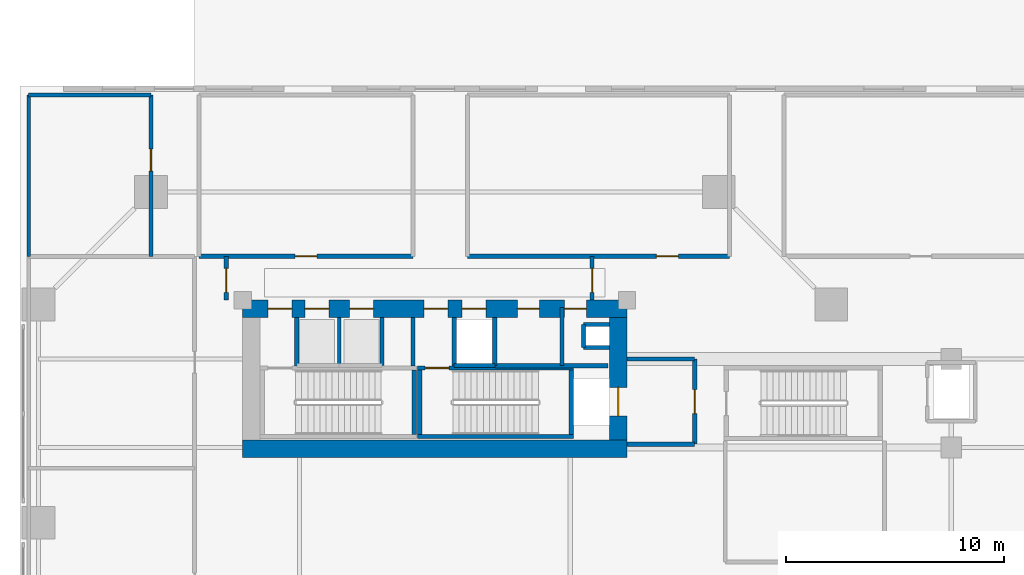
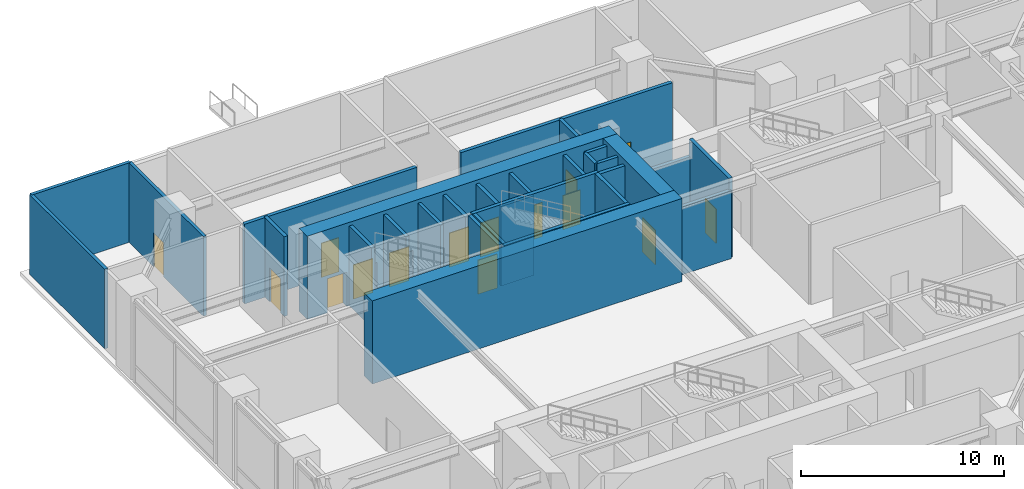
# One storey, part 10 of 18: 30 walls, 15 doors, 15 openings.
"""IFC4 building model written with IfcOpenShell, lengths in metres."""

from ifc_helpers import new_model, si_unit, direction, frame, frame_2d, origin, place, context, subcontext, project, spatial, rectangle, extrude, source, transform, mapped, material, layer, layer_set, type_object, element, fill, save


model = new_model("IFC4")

# Units and contexts
model_context = context("Model", 3, precision=1e-05, world=origin(), true_north=direction((0.0, 1.0)))
body_context = subcontext(model_context, "Body", "Model", "MODEL_VIEW")
ifc_project = project(units=[si_unit("LENGTHUNIT", "METRE"), si_unit("AREAUNIT", "SQUARE_METRE"), si_unit("VOLUMEUNIT", "CUBIC_METRE"), si_unit("PLANEANGLEUNIT", "RADIAN"), si_unit("MASSUNIT", "GRAM", prefix="KILO"), si_unit("THERMODYNAMICTEMPERATUREUNIT", "KELVIN"), si_unit("POWERUNIT", "WATT")], contexts=[model_context])

# Site, building, storey
site_placement = place(None, origin())
site = spatial("IfcSite", under=ifc_project, at=site_placement, CompositionType="ELEMENT")
building_placement = place(site_placement, origin())
building = spatial("IfcBuilding", under=site, at=building_placement, Name="Qiaomeng Ring Towers", CompositionType="ELEMENT")
storey_placement = place(building_placement, origin())
storey = spatial("IfcBuildingStorey", under=building, at=storey_placement, Name="L00", CompositionType="ELEMENT", Elevation=0.0)

# Walls
ifc_material_1 = material(Name="Autoclaved aerated concrete block", Category="concrete")
ifc_layer_1 = layer(ifc_material_1, 0.199951171875, Name="Autoclaved aerated concrete block")
ifc_layer_set_1 = layer_set([ifc_layer_1], Name="Autoclaved aerated concrete block")
wall_type_1 = type_object("IfcWallType", Name="ARC-WL-PW1", PredefinedType="PARTITIONING", material=ifc_layer_set_1)
wall_1_placement = place(storey_placement, frame((27.800048828125, 29.60009765625, 0.0), z_axis=(0.0, 0.0, 1.0), x_axis=(1.0, 0.0, 0.0)))
element("IfcWall", 1, at=wall_1_placement, inside=storey, type_object=wall_type_1, Name="L00 Interior Wall PW1", PredefinedType="PARTITIONING", context=body_context, shape_type="SweptSolid", body=[
    extrude(rectangle(XDim=3.099853515625, YDim=0.199951171875, at=frame_2d((1.5498046875, 0.0))), origin(), (0.0, 0.0, 1.0), 4.074951171875),
])
wall_2_placement = place(storey_placement, frame((27.800048828125, 33.5, 0.0), z_axis=(0.0, 0.0, 1.0), x_axis=(1.0, 0.0, 0.0)))
element("IfcWall", 2, at=wall_2_placement, inside=storey, type_object=wall_type_1, Name="L00 Interior Wall PW1", PredefinedType="PARTITIONING", context=body_context, shape_type="SweptSolid", body=[
    extrude(rectangle(XDim=3.099853515625, YDim=0.199951171875, at=frame_2d((1.5498046875, 0.0))), origin(), (0.0, 0.0, 1.0), 3.77490234375),
])

# Wall, opening, door
wall_3_placement = place(storey_placement, frame((30.89990234375, 29.60009765625, 0.0), z_axis=(0.0, 0.0, 1.0), x_axis=(0.0, 1.0, 0.0)))
wall_3 = element("IfcWall", 3, at=wall_3_placement, inside=storey, type_object=wall_type_1, Name="L00 Interior Wall PW1", PredefinedType="PARTITIONING", context=body_context, shape_type="SweptSolid", body=[
    extrude(rectangle(XDim=3.89990234375, YDim=0.199951171875, at=frame_2d((1.949951171875, 0.0))), origin(), (0.0, 0.0, 1.0), 4.780029296875),
])
opening_1_placement = place(wall_3_placement, frame((1.39990234375, 0.0, 0.0)))
opening_1 = element("IfcOpeningElement", 4, at=opening_1_placement, cuts=wall_3, Name="Opening FD3", PredefinedType="OPENING", context=body_context, shape_type="SweptSolid", body=[
    extrude(rectangle(XDim=1.10009765625, YDim=2.050048828125, at=frame_2d((0.550048828125, 1.02490234375))), frame((0.0, 0.10986328125, 0.0), z_axis=(0.0, -1.0, 0.0), x_axis=(1.0, 0.0, 0.0)), (0.0, 0.0, 1.0), 0.219970703125),
])
ifc_material_2 = material(Name="Galvanised steel", Category="steel")
door_type_1 = type_object("IfcDoorType", Name="ARC-DR-FD3", OperationType="NOTDEFINED", PredefinedType="DOOR", material=ifc_material_2)
shared_shape_1 = source(origin(), body_context, "Body", "SweptSolid", [
    extrude(rectangle(XDim=1.10009765625, YDim=2.050048828125, at=frame_2d((0.550048828125, 1.02490234375))), frame((0.0, 0.02490234375, 0.0), z_axis=(0.0, -1.0, 0.0), x_axis=(1.0, 0.0, 0.0)), (0.0, 0.0, 1.0), 0.050048828125),
])
door_1_placement = place(opening_1_placement, origin())
door_1 = element("IfcDoor", 5, at=door_1_placement, inside=storey, type_object=door_type_1, Name="L00 North FF Lobby Door", OperationType="SINGLE_SWING_LEFT", OverallHeight=2.050048828125, OverallWidth=1.10009765625, PredefinedType="DOOR", context=body_context, shape_type="MappedRepresentation", body=[
    mapped(shared_shape_1, transform((0.0, 0.0, 0.0), x_axis=(1.0, 0.0, 0.0), y_axis=(0.0, 1.0, 0.0), z_axis=(0.0, 0.0, 1.0), scale=1.0)),
])
fill(opening_1, door_1)

# Walls
for number, where, z_axis, x_axis, name in (
    (6, (12.679931640625, 33.18994140625, 0.0), (0.0, 0.0, 1.0), (0.0, 1.0, 0.0), "L00 Interior Wall PW1"),
    (7, (18.0, 33.18994140625, 0.0), (0.0, 0.0, 1.0), (0.0, 1.0, 0.0), "L00 Interior Wall PW1"),
    (8, (19.8798828125, 33.18994140625, 0.0), (0.0, 0.0, 1.0), (0.0, 1.0, 0.0), "L00 Interior Wall PW1"),
):
    element("IfcWall", number, at=place(storey_placement, frame(where, z_axis=z_axis, x_axis=x_axis)), inside=storey, type_object=wall_type_1, Name=name, PredefinedType="PARTITIONING", context=body_context, shape_type="SweptSolid", body=[
        extrude(rectangle(XDim=2.2099609375, YDim=0.199951171875, at=frame_2d((1.10498046875, 0.0))), origin(), (0.0, 0.0, 1.0), 4.780029296875),
    ])
wall_4_placement = place(storey_placement, frame((24.820068359375, 33.199951171875, 0.0), z_axis=(0.0, 0.0, 1.0), x_axis=(0.0, 1.0, 0.0)))
element("IfcWall", 9, at=wall_4_placement, inside=storey, type_object=wall_type_1, Name="L00 Interior Wall PW1", PredefinedType="PARTITIONING", context=body_context, shape_type="SweptSolid", body=[
    extrude(rectangle(XDim=2.650146484375, YDim=0.199951171875, at=frame_2d((1.3251953125, 0.0))), origin(), (0.0, 0.0, 1.0), 4.780029296875),
])
wall_5_placement = place(storey_placement, frame((21.75, 33.199951171875, 0.0), z_axis=(0.0, 0.0, 1.0), x_axis=(0.0, 1.0, 0.0)))
element("IfcWall", 10, at=wall_5_placement, inside=storey, type_object=wall_type_1, Name="L00 Interior Wall PW1", PredefinedType="PARTITIONING", context=body_context, shape_type="SweptSolid", body=[
    extrude(rectangle(XDim=2.199951171875, YDim=0.199951171875, at=frame_2d((1.10009765625, 0.0))), origin(), (0.0, 0.0, 1.0), 4.780029296875),
])
wall_6_placement = place(storey_placement, frame((21.75, 33.199951171875, 0.0), z_axis=(0.0, 0.0, 1.0), x_axis=(1.0, 0.0, 0.0)))
element("IfcWall", 11, at=wall_6_placement, inside=storey, type_object=wall_type_1, Name="L00 Interior Wall PW1", PredefinedType="PARTITIONING", context=body_context, shape_type="SweptSolid", body=[
    extrude(rectangle(XDim=5.169921875, YDim=0.199951171875, at=frame_2d((2.5849609375, 0.0))), origin(), (0.0, 0.0, 1.0), 4.780029296875),
])

# Wall, opening, door
wall_7_placement = place(storey_placement, frame((9.449951171875, 36.199951171875, 0.0), z_axis=(0.0, 0.0, 1.0), x_axis=(0.0, 1.0, 0.0)))
wall_7 = element("IfcWall", 12, at=wall_7_placement, inside=storey, type_object=wall_type_1, Name="L00 Interior Wall PW1", PredefinedType="PARTITIONING", context=body_context, shape_type="SweptSolid", body=[
    extrude(rectangle(XDim=2.0, YDim=0.199951171875, at=frame_2d((1.0, 0.0))), origin(), (0.0, 0.0, 1.0), 4.780029296875),
])
opening_2_placement = place(wall_7_placement, frame((0.35009765625, 0.0, 0.0)))
opening_2 = element("IfcOpeningElement", 13, at=opening_2_placement, cuts=wall_7, Name="Opening FD3", PredefinedType="OPENING", context=body_context, shape_type="SweptSolid", body=[
    extrude(rectangle(XDim=1.10009765625, YDim=2.050048828125, at=frame_2d((0.550048828125, 1.02490234375))), frame((0.0, 0.10986328125, 0.0), z_axis=(0.0, -1.0, 0.0), x_axis=(1.0, 0.0, 0.0)), (0.0, 0.0, 1.0), 0.219970703125),
])
door_2_placement = place(opening_2_placement, origin())
door_2 = element("IfcDoor", 14, at=door_2_placement, inside=storey, type_object=door_type_1, Name="L00 Door FD3", OperationType="SINGLE_SWING_RIGHT", OverallHeight=2.050048828125, OverallWidth=1.10009765625, PredefinedType="DOOR", context=body_context, shape_type="MappedRepresentation", body=[
    mapped(shared_shape_1, transform((0.0, 0.0, 0.0), x_axis=(1.0, 0.0, 0.0), y_axis=(0.0, 1.0, 0.0), z_axis=(0.0, 0.0, 1.0), scale=1.0)),
])
fill(opening_2, door_2)

wall_8_placement = place(storey_placement, frame((26.199951171875, 36.199951171875, 0.0), z_axis=(0.0, 0.0, 1.0), x_axis=(0.0, 1.0, 0.0)))
wall_8 = element("IfcWall", 15, at=wall_8_placement, inside=storey, type_object=wall_type_1, Name="L00 Interior Wall PW1", PredefinedType="PARTITIONING", context=body_context, shape_type="SweptSolid", body=[
    extrude(rectangle(XDim=2.0, YDim=0.199951171875, at=frame_2d((1.0, 0.0))), origin(), (0.0, 0.0, 1.0), 4.780029296875),
])
opening_3_placement = place(wall_8_placement, frame((0.35009765625, 0.0, 0.0)))
opening_3 = element("IfcOpeningElement", 16, at=opening_3_placement, cuts=wall_8, Name="Opening FD3", PredefinedType="OPENING", context=body_context, shape_type="SweptSolid", body=[
    extrude(rectangle(XDim=1.10009765625, YDim=2.050048828125, at=frame_2d((0.550048828125, 1.02490234375))), frame((0.0, 0.10986328125, 0.0), z_axis=(0.0, -1.0, 0.0), x_axis=(1.0, 0.0, 0.0)), (0.0, 0.0, 1.0), 0.219970703125),
])
door_3_placement = place(opening_3_placement, origin())
door_3 = element("IfcDoor", 17, at=door_3_placement, inside=storey, type_object=door_type_1, Name="L00 Door FD3", OperationType="SINGLE_SWING_LEFT", OverallHeight=2.050048828125, OverallWidth=1.10009765625, PredefinedType="DOOR", context=body_context, shape_type="MappedRepresentation", body=[
    mapped(shared_shape_1, transform((0.0, 0.0, 0.0), x_axis=(1.0, 0.0, 0.0), y_axis=(0.0, 1.0, 0.0), z_axis=(0.0, 0.0, 1.0), scale=1.0)),
])
fill(opening_3, door_3)

wall_9_placement = place(storey_placement, frame((8.199951171875, 38.199951171875, 0.0), z_axis=(0.0, 0.0, 1.0), x_axis=(1.0, 0.0, 0.0)))
wall_9 = element("IfcWall", 18, at=wall_9_placement, inside=storey, type_object=wall_type_1, Name="L00 Interior Wall PW1", PredefinedType="PARTITIONING", context=body_context, shape_type="SweptSolid", body=[
    extrude(rectangle(XDim=9.800048828125, YDim=0.199951171875, at=frame_2d((4.89990234375, 0.0))), origin(), (0.0, 0.0, 1.0), 4.780029296875),
])
opening_4_placement = place(wall_9_placement, frame((4.39990234375, 0.0, 0.0)))
opening_4 = element("IfcOpeningElement", 19, at=opening_4_placement, cuts=wall_9, Name="Opening FD4", PredefinedType="OPENING", context=body_context, shape_type="SweptSolid", body=[
    extrude(rectangle(XDim=1.0, YDim=2.050048828125, at=frame_2d((0.5, 1.02490234375))), frame((0.0, 0.10986328125, 0.0), z_axis=(0.0, -1.0, 0.0), x_axis=(1.0, 0.0, 0.0)), (0.0, 0.0, 1.0), 0.219970703125),
])
ifc_material_3 = material(Name="Engineered fire-rated oak timber", Category="wood")
door_type_2 = type_object("IfcDoorType", Name="ARC-DR-FD4", OperationType="NOTDEFINED", PredefinedType="DOOR", material=ifc_material_3)
shared_shape_2 = source(origin(), body_context, "Body", "SweptSolid", [
    extrude(rectangle(XDim=1.0, YDim=2.050048828125, at=frame_2d((0.5, 1.02490234375))), frame((0.0, 0.02490234375, 0.0), z_axis=(0.0, -1.0, 0.0), x_axis=(1.0, 0.0, 0.0)), (0.0, 0.0, 1.0), 0.050048828125),
])
door_4_placement = place(opening_4_placement, origin())
door_4 = element("IfcDoor", 20, at=door_4_placement, inside=storey, type_object=door_type_2, Name="L00 Observation Ward Suite Door", OperationType="SINGLE_SWING_LEFT", OverallHeight=2.050048828125, OverallWidth=1.0, PredefinedType="DOOR", context=body_context, shape_type="MappedRepresentation", body=[
    mapped(shared_shape_2, transform((0.0, 0.0, 0.0), x_axis=(1.0, 0.0, 0.0), y_axis=(0.0, 1.0, 0.0), z_axis=(0.0, 0.0, 1.0), scale=1.0)),
])
fill(opening_4, door_4)

wall_10_placement = place(storey_placement, frame((20.5, 38.199951171875, 0.0), z_axis=(0.0, 0.0, 1.0), x_axis=(1.0, 0.0, 0.0)))
wall_10 = element("IfcWall", 21, at=wall_10_placement, inside=storey, type_object=wall_type_1, Name="L00 Interior Wall PW1", PredefinedType="PARTITIONING", context=body_context, shape_type="SweptSolid", body=[
    extrude(rectangle(XDim=12.0, YDim=0.199951171875, at=frame_2d((6.0, 0.0))), origin(), (0.0, 0.0, 1.0), 4.780029296875),
])
opening_5_placement = place(wall_10_placement, frame((8.64990234375, 0.0, 0.0)))
opening_5 = element("IfcOpeningElement", 22, at=opening_5_placement, cuts=wall_10, Name="Opening FD4", PredefinedType="OPENING", context=body_context, shape_type="SweptSolid", body=[
    extrude(rectangle(XDim=1.0, YDim=2.050048828125, at=frame_2d((0.5, 1.02490234375))), frame((0.0, 0.10986328125, 0.0), z_axis=(0.0, -1.0, 0.0), x_axis=(1.0, 0.0, 0.0)), (0.0, 0.0, 1.0), 0.219970703125),
])
door_5_placement = place(opening_5_placement, origin())
door_5 = element("IfcDoor", 23, at=door_5_placement, inside=storey, type_object=door_type_2, Name="L00 Preventive Immunisation Clinic Door", OperationType="SINGLE_SWING_RIGHT", OverallHeight=2.050048828125, OverallWidth=1.0, PredefinedType="DOOR", context=body_context, shape_type="MappedRepresentation", body=[
    mapped(shared_shape_2, transform((0.0, 0.0, 0.0), x_axis=(1.0, 0.0, 0.0), y_axis=(0.0, 1.0, 0.0), z_axis=(0.0, 0.0, 1.0), scale=1.0)),
])
fill(opening_5, door_5)

# Walls
ifc_layer_2 = layer(ifc_material_1, 0.179931640625, Name="Autoclaved aerated concrete block")
ifc_layer_set_2 = layer_set([ifc_layer_2], Name="Autoclaved aerated concrete block")
wall_type_2 = type_object("IfcWallType", Name="ARC-WL-PW2", PredefinedType="PARTITIONING", material=ifc_layer_set_2)
wall_11_placement = place(storey_placement, frame((0.39990234375, 45.60009765625, 0.0), z_axis=(0.0, 0.0, 1.0), x_axis=(1.0, 0.0, 0.0)))
element("IfcWall", 24, at=wall_11_placement, inside=storey, type_object=wall_type_2, Name="L00 Interior Wall PW2", PredefinedType="PARTITIONING", context=body_context, shape_type="SweptSolid", body=[
    extrude(rectangle(XDim=5.60009765625, YDim=0.179931640625, at=frame_2d((2.800048828125, 0.0))), origin(), (0.0, 0.0, 1.0), 4.780029296875),
])
wall_12_placement = place(storey_placement, frame((0.39990234375, 38.199951171875, 0.0), z_axis=(0.0, 0.0, 1.0), x_axis=(0.0, 1.0, 0.0)))
element("IfcWall", 25, at=wall_12_placement, inside=storey, type_object=wall_type_2, Name="L00 Interior Wall PW2", PredefinedType="PARTITIONING", context=body_context, shape_type="SweptSolid", body=[
    extrude(rectangle(XDim=7.400146484375, YDim=0.179931640625, at=frame_2d((3.7001953125, 0.0))), origin(), (0.0, 0.0, 1.0), 4.780029296875),
])

# Wall, opening, door
wall_13_placement = place(storey_placement, frame((6.0, 38.199951171875, 0.0), z_axis=(0.0, 0.0, 1.0), x_axis=(0.0, 1.0, 0.0)))
wall_13 = element("IfcWall", 26, at=wall_13_placement, inside=storey, type_object=wall_type_2, Name="L00 Interior Wall PW2", PredefinedType="PARTITIONING", context=body_context, shape_type="SweptSolid", body=[
    extrude(rectangle(XDim=7.400146484375, YDim=0.179931640625, at=frame_2d((3.7001953125, 0.0))), origin(), (0.0, 0.0, 1.0), 4.780029296875),
])
opening_6_placement = place(wall_13_placement, frame((3.912109375, 0.0, 0.0)))
opening_6 = element("IfcOpeningElement", 27, at=opening_6_placement, cuts=wall_13, Name="Opening FD4", PredefinedType="OPENING", context=body_context, shape_type="SweptSolid", body=[
    extrude(rectangle(XDim=1.0, YDim=2.050048828125, at=frame_2d((0.5, 1.02490234375))), frame((0.0, 0.099853515625, 0.0), z_axis=(0.0, -1.0, 0.0), x_axis=(1.0, 0.0, 0.0)), (0.0, 0.0, 1.0), 0.199951171875),
])
door_6_placement = place(opening_6_placement, origin())
door_6 = element("IfcDoor", 28, at=door_6_placement, inside=storey, type_object=door_type_2, Name="L00 Medical Records Office Door", OperationType="SINGLE_SWING_RIGHT", OverallHeight=2.050048828125, OverallWidth=1.0, PredefinedType="DOOR", context=body_context, shape_type="MappedRepresentation", body=[
    mapped(shared_shape_2, transform((0.0, 0.0, 0.0), x_axis=(1.0, 0.0, 0.0), y_axis=(0.0, 1.0, 0.0), z_axis=(0.0, 0.0, 1.0), scale=1.0)),
])
fill(opening_6, door_6)

# Walls
ifc_material_4 = material(Name="Concrete C40", Category="concrete")
ifc_layer_3 = layer(ifc_material_4, 0.199951171875, Name="Concrete C40")
ifc_layer_set_3 = layer_set([ifc_layer_3], Name="Concrete C40")
wall_type_3 = type_object("IfcWallType", Name="STR-WL-STSHAFT", PredefinedType="SHEAR", material=ifc_layer_set_3)
wall_14_placement = place(storey_placement, frame((14.6201171875, 33.199951171875, 0.0), z_axis=(0.0, 0.0, 1.0), x_axis=(0.0, 1.0, 0.0)))
element("IfcWall", 29, at=wall_14_placement, inside=storey, type_object=wall_type_3, Name="L00 Lift LP5-LP3 Shaft Divider Wall", PredefinedType="SHEAR", context=body_context, shape_type="SweptSolid", body=[
    extrude(rectangle(XDim=2.199951171875, YDim=0.179931640625, at=frame_2d((1.10009765625, 0.0))), origin(), (0.0, 0.0, 1.0), 4.780029296875),
])
wall_15_placement = place(storey_placement, frame((25.800048828125, 34.02001953125, 0.0), z_axis=(0.0, 0.0, 1.0), x_axis=(0.0, 1.0, 0.0)))
element("IfcWall", 30, at=wall_15_placement, inside=storey, type_object=wall_type_3, Name="L00 Riser RSR1 West Shaft Wall N", PredefinedType="SHEAR", context=body_context, shape_type="SweptSolid", body=[
    extrude(rectangle(XDim=1.06005859375, YDim=0.179931640625, at=frame_2d((0.530029296875, 0.0))), origin(), (0.0, 0.0, 1.0), 4.780029296875),
])
for number, where, z_axis, x_axis, name in (
    (31, (25.800048828125, 35.080078125, 0.0), (0.0, 0.0, 1.0), (1.0, 0.0, 0.0), "L00 Riser RSR1 North Shaft Wall N"),
    (32, (25.800048828125, 34.02001953125, 0.0), (0.0, 0.0, 1.0), (1.0, 0.0, 0.0), "L00 Riser RSR1 South Shaft Wall N"),
):
    element("IfcWall", number, at=place(storey_placement, frame(where, z_axis=z_axis, x_axis=x_axis)), inside=storey, type_object=wall_type_3, Name=name, PredefinedType="SHEAR", context=body_context, shape_type="SweptSolid", body=[
        extrude(rectangle(XDim=1.199951171875, YDim=0.179931640625, at=frame_2d((0.60009765625, 0.0))), origin(), (0.0, 0.0, 1.0), 4.780029296875),
    ])
wall_16_placement = place(storey_placement, frame((16.580078125, 33.199951171875, 0.0), z_axis=(0.0, 0.0, 1.0), x_axis=(0.0, 1.0, 0.0)))
element("IfcWall", 33, at=wall_16_placement, inside=storey, type_object=wall_type_3, Name="L00 Lift LP3 East Shaft Wall", PredefinedType="SHEAR", context=body_context, shape_type="SweptSolid", body=[
    extrude(rectangle(XDim=2.199951171875, YDim=0.179931640625, at=frame_2d((1.10009765625, 0.0))), origin(), (0.0, 0.0, 1.0), 4.780029296875),
])
wall_17_placement = place(storey_placement, frame((19.8798828125, 33.199951171875, 0.0), z_axis=(0.0, 0.0, 1.0), x_axis=(1.0, 0.0, 0.0)))
element("IfcWall", 34, at=wall_17_placement, inside=storey, type_object=wall_type_3, Name="L00 Lift LP1 Shaft Back Wall", PredefinedType="SHEAR", context=body_context, shape_type="SweptSolid", body=[
    extrude(rectangle(XDim=1.8701171875, YDim=0.179931640625, at=frame_2d((0.93505859375, 0.0))), origin(), (0.0, 0.0, 1.0), 4.780029296875),
])
wall_18_placement = place(storey_placement, frame((18.050048828125, 30.050048828125, 0.0), z_axis=(0.0, 0.0, 1.0), x_axis=(0.0, 1.0, 0.0)))
element("IfcWall", 35, at=wall_18_placement, inside=storey, type_object=wall_type_3, Name="L00 Stair ST1 East Shaft Shear Wall", PredefinedType="SHEAR", context=body_context, shape_type="SweptSolid", body=[
    extrude(rectangle(XDim=2.93994140625, YDim=0.199951171875, at=frame_2d((1.469970703125, 0.0))), origin(), (0.0, 0.0, 1.0), 5.0),
])
wall_19_placement = place(storey_placement, frame((18.199951171875, 29.949951171875, 0.0), z_axis=(0.0, 0.0, 1.0), x_axis=(1.0, 0.0, 0.0)))
element("IfcWall", 36, at=wall_19_placement, inside=storey, type_object=wall_type_3, Name="L00 Stair ST2 South Shaft Shear Wall", PredefinedType="SHEAR", context=body_context, shape_type="SweptSolid", body=[
    extrude(rectangle(XDim=7.150146484375, YDim=0.199951171875, at=frame_2d((3.5751953125, 0.0))), origin(), (0.0, 0.0, 1.0), 5.0),
])

# Wall, opening, door
wall_20_placement = place(storey_placement, frame((18.199951171875, 33.090087890625, 0.0), z_axis=(0.0, 0.0, 1.0), x_axis=(1.0, 0.0, 0.0)))
wall_20 = element("IfcWall", 37, at=wall_20_placement, inside=storey, type_object=wall_type_3, Name="L00 Stair ST2 North Shaft Shear Wall", PredefinedType="SHEAR", context=body_context, shape_type="SweptSolid", body=[
    extrude(rectangle(XDim=7.150146484375, YDim=0.199951171875, at=frame_2d((3.5751953125, 0.0))), origin(), (0.0, 0.0, 1.0), 5.0),
])
opening_7_placement = place(wall_20_placement, frame((0.35009765625, 0.0, 0.0)))
opening_7 = element("IfcOpeningElement", 38, at=opening_7_placement, cuts=wall_20, Name="Opening FD3", PredefinedType="OPENING", context=body_context, shape_type="SweptSolid", body=[
    extrude(rectangle(XDim=1.10009765625, YDim=2.050048828125, at=frame_2d((0.550048828125, 1.02490234375))), frame((0.0, 0.10986328125, 0.0), z_axis=(0.0, -1.0, 0.0), x_axis=(1.0, 0.0, 0.0)), (0.0, 0.0, 1.0), 0.219970703125),
])
door_7_placement = place(opening_7_placement, origin())
door_7 = element("IfcDoor", 39, at=door_7_placement, inside=storey, type_object=door_type_1, Name="L00 Stair ST2 Exit Door", OperationType="SINGLE_SWING_RIGHT", OverallHeight=2.050048828125, OverallWidth=1.10009765625, PredefinedType="DOOR", context=body_context, shape_type="MappedRepresentation", body=[
    mapped(shared_shape_1, transform((0.0, 0.0, 0.0), x_axis=(1.0, 0.0, 0.0), y_axis=(0.0, 1.0, 0.0), z_axis=(0.0, 0.0, 1.0), scale=1.0)),
])
fill(opening_7, door_7)

# Walls
for number, where, z_axis, x_axis, name in (
    (40, (18.300048828125, 30.050048828125, 0.0), (0.0, 0.0, 1.0), (0.0, 1.0, 0.0), "L00 Stair ST2 West Shaft Shear Wall"),
    (41, (25.25, 30.050048828125, 0.0), (0.0, 0.0, 1.0), (0.0, 1.0, 0.0), "L00 Stair ST2 East Shaft Shear Wall"),
):
    element("IfcWall", number, at=place(storey_placement, frame(where, z_axis=z_axis, x_axis=x_axis)), inside=storey, type_object=wall_type_3, Name=name, PredefinedType="SHEAR", context=body_context, shape_type="SweptSolid", body=[
        extrude(rectangle(XDim=2.93994140625, YDim=0.199951171875, at=frame_2d((1.469970703125, 0.0))), origin(), (0.0, 0.0, 1.0), 5.0),
    ])
ifc_material_5 = material(Name="Concrete C60", Category="concrete")
ifc_layer_4 = layer(ifc_material_5, 0.800048828125, Name="Concrete C60")
ifc_layer_set_4 = layer_set([ifc_layer_4], Name="Concrete C60")
wall_type_4 = type_object("IfcWallType", Name="STR-WL-SW1", PredefinedType="SHEAR", material=ifc_layer_set_4)
wall_21_placement = place(storey_placement, frame((10.199951171875, 29.39990234375, 0.0), z_axis=(0.0, 0.0, 1.0), x_axis=(1.0, 0.0, 0.0)))
element("IfcWall", 42, at=wall_21_placement, inside=storey, type_object=wall_type_4, Name="L00 T1NC south core shear wall", PredefinedType="SHEAR", context=body_context, shape_type="SweptSolid", body=[
    extrude(rectangle(XDim=17.60009765625, YDim=0.800048828125, at=frame_2d((8.800048828125, 0.0))), origin(), (0.0, 0.0, 1.0), 5.0),
])

# Wall, openings, doors
wall_22_placement = place(storey_placement, frame((10.199951171875, 35.800048828125, 0.0), z_axis=(0.0, 0.0, 1.0), x_axis=(1.0, 0.0, 0.0)))
wall_22 = element("IfcWall", 43, at=wall_22_placement, inside=storey, type_object=wall_type_4, Name="L00 T1NC north core shear wall", PredefinedType="SHEAR", context=body_context, shape_type="SweptSolid", body=[
    extrude(rectangle(XDim=17.60009765625, YDim=0.800048828125, at=frame_2d((8.800048828125, 0.0))), origin(), (0.0, 0.0, 1.0), 5.0),
])
opening_8_placement = place(wall_22_placement, frame((1.14990234375, 0.0, 0.0)))
opening_8 = element("IfcOpeningElement", 44, at=opening_8_placement, cuts=wall_22, Name="Opening FD3", PredefinedType="OPENING", context=body_context, shape_type="SweptSolid", body=[
    extrude(rectangle(XDim=1.10009765625, YDim=2.050048828125, at=frame_2d((0.550048828125, 1.02490234375))), frame((0.0, 0.409912109375, 0.0), z_axis=(0.0, -1.0, 0.0), x_axis=(1.0, 0.0, 0.0)), (0.0, 0.0, 1.0), 0.820068359375),
])
opening_9_placement = place(wall_22_placement, frame((8.300048828125, 0.0, 0.0)))
opening_9 = element("IfcOpeningElement", 45, at=opening_9_placement, cuts=wall_22, Name="Opening FD3", PredefinedType="OPENING", context=body_context, shape_type="SweptSolid", body=[
    extrude(rectangle(XDim=1.10009765625, YDim=2.050048828125, at=frame_2d((0.550048828125, 1.02490234375))), frame((0.0, 0.409912109375, 0.0), z_axis=(0.0, -1.0, 0.0), x_axis=(1.0, 0.0, 0.0)), (0.0, 0.0, 1.0), 0.820068359375),
])
opening_10_placement = place(wall_22_placement, frame((10.050048828125, 0.0, 0.0)))
opening_10 = element("IfcOpeningElement", 46, at=opening_10_placement, cuts=wall_22, Name="Opening LD1", PredefinedType="OPENING", context=body_context, shape_type="SweptSolid", body=[
    extrude(rectangle(XDim=1.10009765625, YDim=2.050048828125, at=frame_2d((0.550048828125, 1.02490234375))), frame((0.0, 0.409912109375, 0.0), z_axis=(0.0, -1.0, 0.0), x_axis=(1.0, 0.0, 0.0)), (0.0, 0.0, 1.0), 0.820068359375),
])
opening_11_placement = place(wall_22_placement, frame((4.89990234375, 0.0, 0.0)))
opening_11 = element("IfcOpeningElement", 47, at=opening_11_placement, cuts=wall_22, Name="Opening LD1", PredefinedType="OPENING", context=body_context, shape_type="SweptSolid", body=[
    extrude(rectangle(XDim=1.10009765625, YDim=2.050048828125, at=frame_2d((0.550048828125, 1.02490234375))), frame((0.0, 0.409912109375, 0.0), z_axis=(0.0, -1.0, 0.0), x_axis=(1.0, 0.0, 0.0)), (0.0, 0.0, 1.0), 0.820068359375),
])
opening_12_placement = place(wall_22_placement, frame((2.85009765625, 0.0, 0.0)))
opening_12 = element("IfcOpeningElement", 48, at=opening_12_placement, cuts=wall_22, Name="Opening LD1", PredefinedType="OPENING", context=body_context, shape_type="SweptSolid", body=[
    extrude(rectangle(XDim=1.10009765625, YDim=2.050048828125, at=frame_2d((0.550048828125, 1.02490234375))), frame((0.0, 0.409912109375, 0.0), z_axis=(0.0, -1.0, 0.0), x_axis=(1.0, 0.0, 0.0)), (0.0, 0.0, 1.0), 0.820068359375),
])
opening_13_placement = place(wall_22_placement, frame((14.739990234375, 0.0, 0.0)))
opening_13 = element("IfcOpeningElement", 49, at=opening_13_placement, cuts=wall_22, Name="Opening FD1", PredefinedType="OPENING", context=body_context, shape_type="SweptSolid", body=[
    extrude(rectangle(XDim=1.0, YDim=2.050048828125, at=frame_2d((0.5, 1.02490234375))), frame((0.0, 0.409912109375, 0.0), z_axis=(0.0, -1.0, 0.0), x_axis=(1.0, 0.0, 0.0)), (0.0, 0.0, 1.0), 0.820068359375),
])
opening_14_placement = place(wall_22_placement, frame((12.5849609375, 0.0, 0.0)))
opening_14 = element("IfcOpeningElement", 50, at=opening_14_placement, cuts=wall_22, Name="Opening FD1", PredefinedType="OPENING", context=body_context, shape_type="SweptSolid", body=[
    extrude(rectangle(XDim=1.0, YDim=2.050048828125, at=frame_2d((0.5, 1.02490234375))), frame((0.0, 0.409912109375, 0.0), z_axis=(0.0, -1.0, 0.0), x_axis=(1.0, 0.0, 0.0)), (0.0, 0.0, 1.0), 0.820068359375),
])
door_8_placement = place(opening_8_placement, origin())
door_8 = element("IfcDoor", 51, at=door_8_placement, inside=storey, type_object=door_type_1, Name="L00 Stair ST1 Lobby Door", OperationType="SINGLE_SWING_LEFT", OverallHeight=2.050048828125, OverallWidth=1.10009765625, PredefinedType="DOOR", context=body_context, shape_type="MappedRepresentation", body=[
    mapped(shared_shape_1, transform((0.0, 0.0, 0.0), x_axis=(1.0, 0.0, 0.0), y_axis=(0.0, 1.0, 0.0), z_axis=(0.0, 0.0, 1.0), scale=1.0)),
])
fill(opening_8, door_8)
door_9_placement = place(opening_9_placement, origin())
door_9 = element("IfcDoor", 52, at=door_9_placement, inside=storey, type_object=door_type_1, Name="L00 Stair ST2 Lobby Door", OperationType="SINGLE_SWING_LEFT", OverallHeight=2.050048828125, OverallWidth=1.10009765625, PredefinedType="DOOR", context=body_context, shape_type="MappedRepresentation", body=[
    mapped(shared_shape_1, transform((0.0, 0.0, 0.0), x_axis=(1.0, 0.0, 0.0), y_axis=(0.0, 1.0, 0.0), z_axis=(0.0, 0.0, 1.0), scale=1.0)),
])
fill(opening_9, door_9)
ifc_material_6 = material(Name="Stainless steel 316", Category="steel")
door_type_3 = type_object("IfcDoorType", Name="ARC-DR-LD1", OperationType="NOTDEFINED", PredefinedType="DOOR", material=ifc_material_6)
door_10_placement = place(opening_10_placement, origin())
door_10 = element("IfcDoor", 53, at=door_10_placement, inside=storey, type_object=door_type_3, Name="L00 Low-Zone Lift LP1 Landing Door", OperationType="SLIDING_TO_LEFT", OverallHeight=2.050048828125, OverallWidth=1.10009765625, PredefinedType="DOOR", context=body_context, shape_type="MappedRepresentation", body=[
    mapped(shared_shape_1, transform((0.0, 0.0, 0.0), x_axis=(1.0, 0.0, 0.0), y_axis=(0.0, 1.0, 0.0), z_axis=(0.0, 0.0, 1.0), scale=1.0)),
])
fill(opening_10, door_10)
door_11_placement = place(opening_11_placement, origin())
door_11 = element("IfcDoor", 54, at=door_11_placement, inside=storey, type_object=door_type_3, Name="L00 Mid-Zone Lift LP3 Landing Door", OperationType="SLIDING_TO_LEFT", OverallHeight=2.050048828125, OverallWidth=1.10009765625, PredefinedType="DOOR", context=body_context, shape_type="MappedRepresentation", body=[
    mapped(shared_shape_1, transform((0.0, 0.0, 0.0), x_axis=(1.0, 0.0, 0.0), y_axis=(0.0, 1.0, 0.0), z_axis=(0.0, 0.0, 1.0), scale=1.0)),
])
fill(opening_11, door_11)
door_12_placement = place(opening_12_placement, origin())
door_12 = element("IfcDoor", 55, at=door_12_placement, inside=storey, type_object=door_type_3, Name="L00 High-Zone Lift LP5 Landing Door", OperationType="SLIDING_TO_LEFT", OverallHeight=2.050048828125, OverallWidth=1.10009765625, PredefinedType="DOOR", context=body_context, shape_type="MappedRepresentation", body=[
    mapped(shared_shape_1, transform((0.0, 0.0, 0.0), x_axis=(1.0, 0.0, 0.0), y_axis=(0.0, 1.0, 0.0), z_axis=(0.0, 0.0, 1.0), scale=1.0)),
])
fill(opening_12, door_12)
door_type_4 = type_object("IfcDoorType", Name="ARC-DR-FD1", OperationType="NOTDEFINED", PredefinedType="DOOR", material=ifc_material_2)
door_13_placement = place(opening_13_placement, origin())
door_13 = element("IfcDoor", 56, at=door_13_placement, inside=storey, type_object=door_type_4, Name="L00 North Electrical Riser Door", OperationType="SINGLE_SWING_LEFT", OverallHeight=2.050048828125, OverallWidth=1.0, PredefinedType="DOOR", context=body_context, shape_type="MappedRepresentation", body=[
    mapped(shared_shape_2, transform((0.0, 0.0, 0.0), x_axis=(1.0, 0.0, 0.0), y_axis=(0.0, 1.0, 0.0), z_axis=(0.0, 0.0, 1.0), scale=1.0)),
])
fill(opening_13, door_13)
door_14_placement = place(opening_14_placement, origin())
door_14 = element("IfcDoor", 57, at=door_14_placement, inside=storey, type_object=door_type_4, Name="L00 North Cleaners Store Door", OperationType="SINGLE_SWING_LEFT", OverallHeight=2.050048828125, OverallWidth=1.0, PredefinedType="DOOR", context=body_context, shape_type="MappedRepresentation", body=[
    mapped(shared_shape_2, transform((0.0, 0.0, 0.0), x_axis=(1.0, 0.0, 0.0), y_axis=(0.0, 1.0, 0.0), z_axis=(0.0, 0.0, 1.0), scale=1.0)),
])
fill(opening_14, door_14)

# Wall, opening, door
wall_23_placement = place(storey_placement, frame((27.39990234375, 29.800048828125, 0.0), z_axis=(0.0, 0.0, 1.0), x_axis=(0.0, 1.0, 0.0)))
wall_23 = element("IfcWall", 58, at=wall_23_placement, inside=storey, type_object=wall_type_4, Name="L00 T1NC east core shear wall", PredefinedType="SHEAR", context=body_context, shape_type="SweptSolid", body=[
    extrude(rectangle(XDim=5.599853515625, YDim=0.800048828125, at=frame_2d((2.7998046875, 0.0))), origin(), (0.0, 0.0, 1.0), 5.0),
])
opening_15_placement = place(wall_23_placement, frame((1.10009765625, 0.0, 0.0)))
opening_15 = element("IfcOpeningElement", 59, at=opening_15_placement, cuts=wall_23, Name="Opening LD2", PredefinedType="OPENING", context=body_context, shape_type="SweptSolid", body=[
    extrude(rectangle(XDim=1.300048828125, YDim=2.050048828125, at=frame_2d((0.64990234375, 1.02490234375))), frame((0.0, 0.409912109375, 0.0), z_axis=(0.0, -1.0, 0.0), x_axis=(1.0, 0.0, 0.0)), (0.0, 0.0, 1.0), 0.820068359375),
])
door_type_5 = type_object("IfcDoorType", Name="ARC-DR-LD2", OperationType="NOTDEFINED", PredefinedType="DOOR", material=ifc_material_6)
shared_shape_3 = source(origin(), body_context, "Body", "SweptSolid", [
    extrude(rectangle(XDim=1.300048828125, YDim=2.050048828125, at=frame_2d((0.64990234375, 1.02490234375))), frame((0.0, 0.02490234375, 0.0), z_axis=(0.0, -1.0, 0.0), x_axis=(1.0, 0.0, 0.0)), (0.0, 0.0, 1.0), 0.050048828125),
])
door_15_placement = place(opening_15_placement, origin())
door_15 = element("IfcDoor", 60, at=door_15_placement, inside=storey, type_object=door_type_5, Name="L00 Firefighting Lift FL1 Landing Door", OperationType="SLIDING_TO_LEFT", OverallHeight=2.050048828125, OverallWidth=1.300048828125, PredefinedType="DOOR", context=body_context, shape_type="MappedRepresentation", body=[
    mapped(shared_shape_3, transform((0.0, 0.0, 0.0), x_axis=(1.0, 0.0, 0.0), y_axis=(0.0, 1.0, 0.0), z_axis=(0.0, 0.0, 1.0), scale=1.0)),
])
fill(opening_15, door_15)

save(model, "model.ifc")
